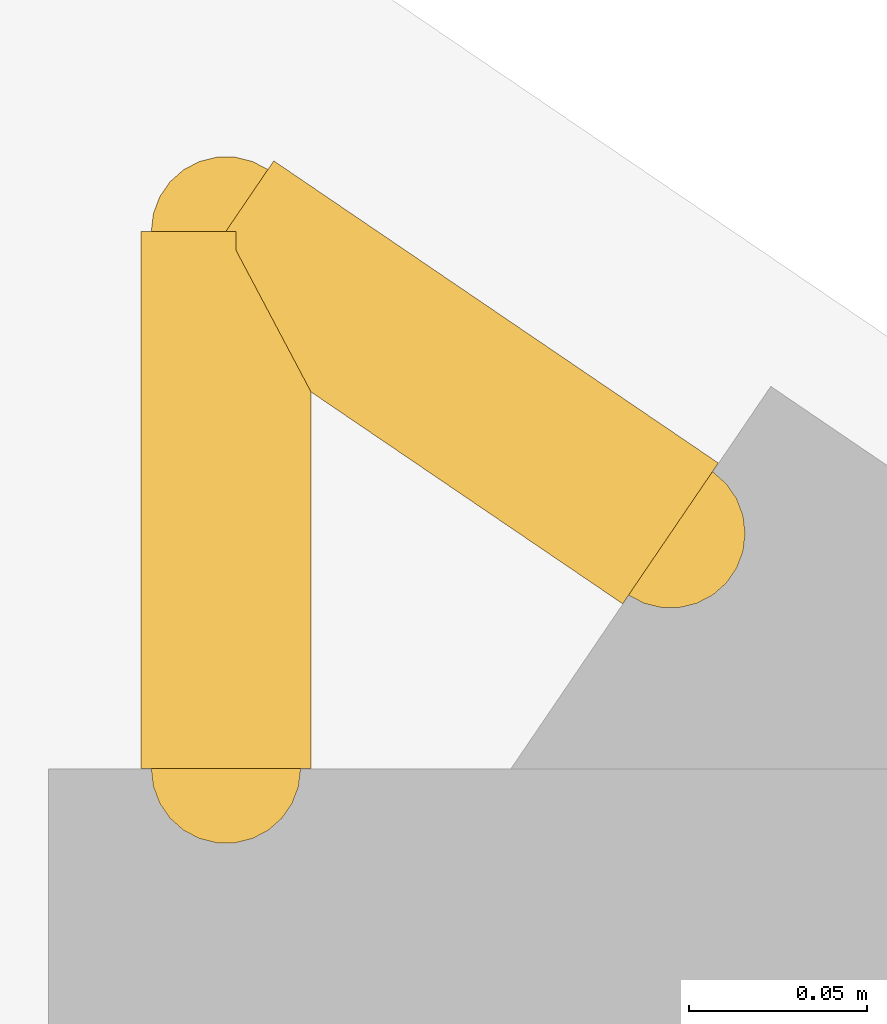
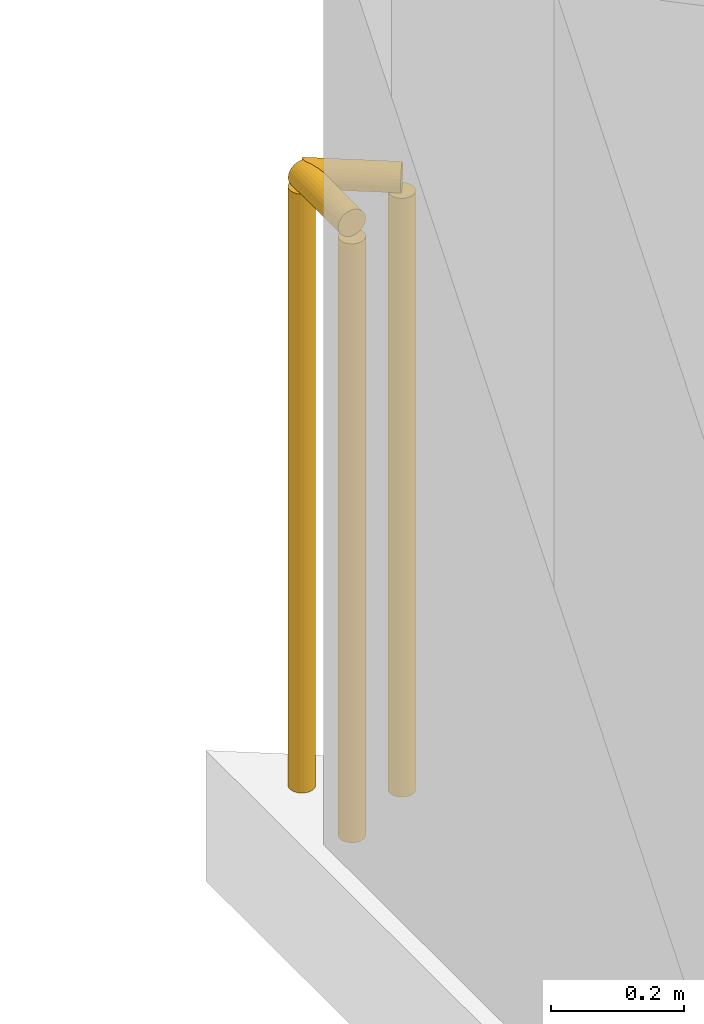
# One storey, part 17 of 18: 2 railings.
"""IFC4 building model written with IfcOpenShell, lengths in metres."""

from ifc_helpers import new_model, si_unit, direction, frame, origin, origin_2d, place, context, subcontext, project, spatial, circle, extrude, material, type_object, element, save


model = new_model("IFC4")

# Units and contexts
model_context = context("Model", 3, precision=1e-05, world=origin(), true_north=direction((0.0, 1.0)))
body_context = subcontext(model_context, "Body", "Model", "MODEL_VIEW")
ifc_project = project(units=[si_unit("LENGTHUNIT", "METRE"), si_unit("AREAUNIT", "SQUARE_METRE"), si_unit("VOLUMEUNIT", "CUBIC_METRE"), si_unit("PLANEANGLEUNIT", "RADIAN"), si_unit("MASSUNIT", "GRAM", prefix="KILO")], contexts=[model_context])

# Site, building, storey
site_placement = place(None, origin())
site = spatial("IfcSite", under=ifc_project, at=site_placement, CompositionType="ELEMENT")
building_placement = place(site_placement, origin())
building = spatial("IfcBuilding", under=site, at=building_placement, Name="Varnakote Quay Hospital", CompositionType="ELEMENT")
storey_placement = place(building_placement, frame((0.0, 0.0, 69.89990234375)))
storey = spatial("IfcBuildingStorey", under=building, at=storey_placement, Name="L17", CompositionType="ELEMENT", Elevation=69.89990234375)

# Railings
ifc_material = material(Name="Anodised aluminium 6063-T6 Bronze", Category="aluminium")
railing_type = type_object("IfcRailingType", Name="RLG-EXT-GUARD-1150", PredefinedType="GUARDRAIL", material=ifc_material)
railing_1_placement = place(storey_placement, frame((2.679931640625, 43.497802734375, 0.0)))
element("IfcRailing", 1, at=railing_1_placement, inside=storey, type_object=railing_type, Name="L17 Slab Edge Perimeter Safety Guard", PredefinedType="GUARDRAIL", context=body_context, shape_type="SweptSolid", body=[
    extrude(circle(Radius=0.02392578125, at=origin_2d()), frame((0.0, 0.0, 1.1259765625), z_axis=(0.0, 1.0, 0.0), x_axis=(-1.0, 0.0, 0.0)), (0.0, 0.0, 1.0), 0.151123046875),
    extrude(circle(Radius=0.02099609375, at=origin_2d()), origin(), (0.0, 0.0, 1.0), 1.101806640625),
    extrude(circle(Radius=0.02099609375, at=origin_2d()), frame((0.0, 0.151123046875, 0.0)), (0.0, 0.0, 1.0), 1.101806640625),
])
railing_2_placement = place(storey_placement, frame((2.679931640625, 43.64892578125, 0.0)))
element("IfcRailing", 2, at=railing_2_placement, inside=storey, type_object=railing_type, Name="L17 Slab Edge Perimeter Safety Guard", PredefinedType="GUARDRAIL", context=body_context, shape_type="SweptSolid", body=[
    extrude(circle(Radius=0.02392578125, at=origin_2d()), frame((0.0, 0.0, 1.1259765625), z_axis=(0.827046660574, -0.562133277109, 0.0), x_axis=(0.562133277109, 0.827046660574, 0.0)), (0.0, 0.0, 1.0), 0.151123046875),
    extrude(circle(Radius=0.02099609375, at=origin_2d()), origin(), (0.0, 0.0, 1.0), 1.101806640625),
    extrude(circle(Radius=0.02099609375, at=origin_2d()), frame((0.125, -0.0849609375, 0.0)), (0.0, 0.0, 1.0), 1.101806640625),
])

save(model, "model.ifc")
